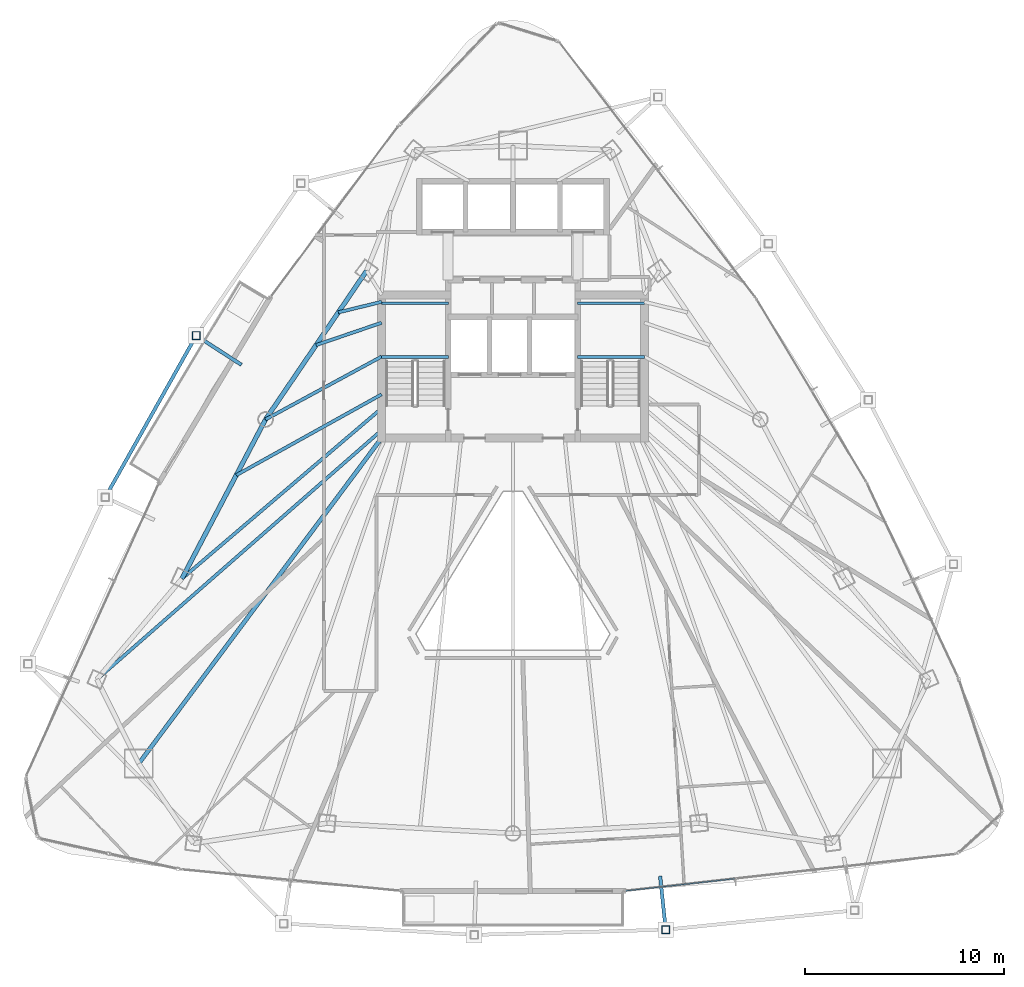
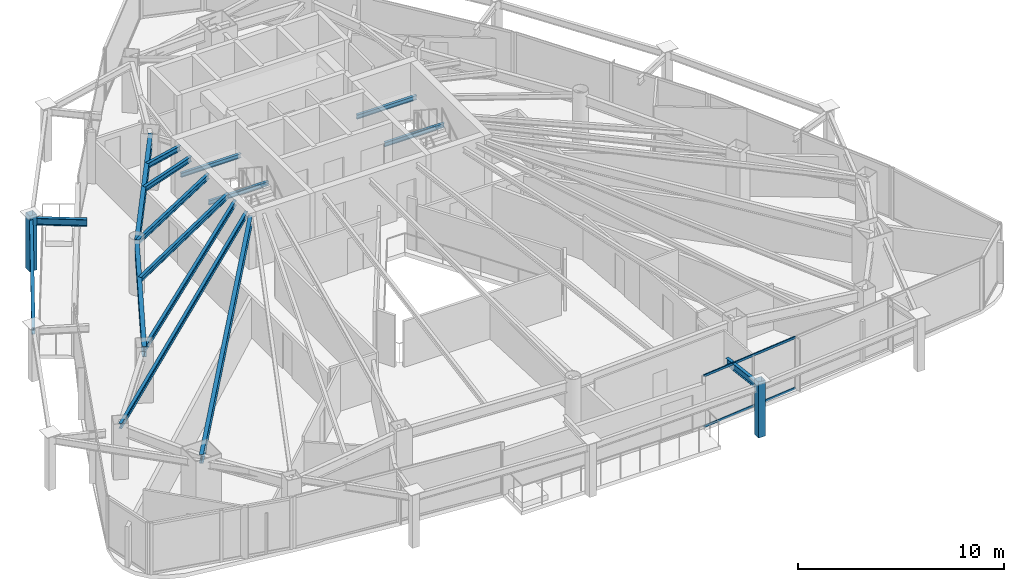
# One storey, part 11 of 29: 16 beams, 4 members, 1 element without a shape of its own.
"""IFC4 building model written with IfcOpenShell, lengths in metres."""

from ifc_helpers import new_model, si_unit, direction, frame, origin, origin_2d, place, context, subcontext, project, spatial, hollow_rectangle, i_section, extrude, material, layer, layer_set, material_profile, profile_set, type_object, element, aggregate, save


model = new_model("IFC4")

# Units and contexts
model_context = context("Model", 3, precision=1e-05, world=origin(), true_north=direction((0.0, 1.0)))
body_context = subcontext(model_context, "Body", "Model", "MODEL_VIEW")
ifc_project = project(units=[si_unit("LENGTHUNIT", "METRE"), si_unit("AREAUNIT", "SQUARE_METRE"), si_unit("VOLUMEUNIT", "CUBIC_METRE"), si_unit("PLANEANGLEUNIT", "RADIAN"), si_unit("MASSUNIT", "GRAM", prefix="KILO")], contexts=[model_context])

# Site, building, storey
site_placement = place(None, origin())
site = spatial("IfcSite", under=ifc_project, at=site_placement, CompositionType="ELEMENT")
building_placement = place(site_placement, origin())
building = spatial("IfcBuilding", under=site, at=building_placement, Name="Orvanel Arch Residences", CompositionType="ELEMENT")
storey_placement = place(building_placement, frame((0.0, 0.0, 177.050048828125)))
storey = spatial("IfcBuildingStorey", under=building, at=storey_placement, Name="L50", CompositionType="ELEMENT", Elevation=177.050048828125)

# Beams
ifc_material_1 = material(Name="Structural steel AS/NZS 3679.1 Grade 300 (300 MPa)", Category="steel")
ifc_material_profile_1 = material_profile(ifc_material_1, i_section(OverallWidth=0.208984375, OverallDepth=0.532958984375, WebThickness=0.01025390625, FlangeThickness=0.015625, at=origin_2d()), Name="530UB92.4")
ifc_profile_set_1 = profile_set([ifc_material_profile_1], Name="Structural steel AS/NZS 3679.1 Grade 300 (300 MPa)")
beam_type_1 = type_object("IfcBeamType", Name="BG-530UB", PredefinedType="BEAM", material=ifc_profile_set_1)
beam_1_placement = place(storey_placement, frame((26.375, 26.675048828125, 2.7939453125), z_axis=(-0.597893733742, -0.801575375839, 0.0), x_axis=(0.801575375839, -0.597893733742, 0.0)))
element("IfcBeam", 1, at=beam_1_placement, inside=storey, type_object=beam_type_1, Name="L50 South-West Radial Girder", PredefinedType="BEAM", context=body_context, shape_type="SweptSolid", body=[
    extrude(i_section(OverallWidth=0.208984375, OverallDepth=0.532958984375, WebThickness=0.01025390625, FlangeThickness=0.015625, at=origin_2d()), origin(), (0.0, 0.0, 1.0), 20.36474609375),
])
ifc_material_profile_2 = material_profile(ifc_material_1, i_section(OverallWidth=0.14599609375, OverallDepth=0.251953125, WebThickness=0.006103515625, FlangeThickness=0.008544921875, at=origin_2d()), Name="250UB31.4")
ifc_profile_set_2 = profile_set([ifc_material_profile_2], Name="Structural steel AS/NZS 3679.1 Grade 300 (300 MPa)")
beam_type_2 = type_object("IfcBeamType", Name="BJ-250UB", PredefinedType="JOIST", material=ifc_profile_set_2)
for number, where, z_axis, x_axis, name in (
    (2, (26.39990234375, 30.780029296875, 1.323974609375), (1.0, 0.0, 0.0), (0.0, 1.0, 0.0), "L50 ST-1 Half-Landing Support Beam 1.1"),
    (3, (26.39990234375, 33.47998046875, 1.323974609375), (1.0, 0.0, 0.0), (0.0, 1.0, 0.0), "L50 ST-1 Half-Landing Support Beam 1.2"),
    (4, (36.25, 30.780029296875, 1.323974609375), (1.0, 0.0, 0.0), (0.0, 1.0, 0.0), "L50 ST-2 Half-Landing Support Beam 1.1"),
    (5, (36.25, 33.47998046875, 1.323974609375), (1.0, 0.0, 0.0), (0.0, 1.0, 0.0), "L50 ST-2 Half-Landing Support Beam 1.2"),
):
    element("IfcBeam", number, at=place(storey_placement, frame(where, z_axis=z_axis, x_axis=x_axis)), inside=storey, type_object=beam_type_2, Name=name, PredefinedType="JOIST", context=body_context, shape_type="SweptSolid", body=[
        extrude(i_section(OverallWidth=0.14599609375, OverallDepth=0.251953125, WebThickness=0.006103515625, FlangeThickness=0.008544921875, at=origin_2d()), origin(), (0.0, 0.0, 1.0), 3.35009765625),
    ])
ifc_material_profile_3 = material_profile(ifc_material_1, i_section(OverallWidth=0.1650390625, OverallDepth=0.303955078125, WebThickness=0.006103515625, FlangeThickness=0.01025390625, at=origin_2d()), Name="310UB40.4")
ifc_profile_set_3 = profile_set([ifc_material_profile_3], Name="Structural steel AS/NZS 3679.1 Grade 300 (300 MPa)")
beam_type_3 = type_object("IfcBeamType", Name="BJ-310UB", PredefinedType="JOIST", material=ifc_profile_set_3)
beam_2_placement = place(storey_placement, frame((26.39990234375, 30.800048828125, 2.907958984375), z_axis=(-0.87925534649, -0.476350748576, 0.0), x_axis=(0.476350748576, -0.87925534649, 0.0)))
element("IfcBeam", 6, at=beam_2_placement, inside=storey, type_object=beam_type_3, Name="L50 NW Wing Floor Joist", PredefinedType="JOIST", context=body_context, shape_type="SweptSolid", body=[
    extrude(i_section(OverallWidth=0.1650390625, OverallDepth=0.303955078125, WebThickness=0.006103515625, FlangeThickness=0.01025390625, at=origin_2d()), origin(), (0.0, 0.0, 1.0), 6.631591796875),
])
beam_3_placement = place(storey_placement, frame((26.39990234375, 28.199951171875, 2.907958984375), z_axis=(-0.760821315761, -0.648961420644, 0.0), x_axis=(0.648961420644, -0.760821315761, 0.0)))
element("IfcBeam", 7, at=beam_3_placement, inside=storey, type_object=beam_type_3, Name="L50 W Wing Floor Joist", PredefinedType="JOIST", context=body_context, shape_type="SweptSolid", body=[
    extrude(i_section(OverallWidth=0.1650390625, OverallDepth=0.303955078125, WebThickness=0.006103515625, FlangeThickness=0.01025390625, at=origin_2d()), origin(), (0.0, 0.0, 1.0), 13.18701171875),
])
beam_4_placement = place(storey_placement, frame((26.39990234375, 32.5, 2.907958984375), z_axis=(-0.946441958332, -0.322873999431, 0.0), x_axis=(0.322873999431, -0.946441958332, 0.0)))
element("IfcBeam", 8, at=beam_4_placement, inside=storey, type_object=beam_type_3, Name="L50 WNW Wing Floor Joist", PredefinedType="JOIST", context=body_context, shape_type="SweptSolid", body=[
    extrude(i_section(OverallWidth=0.1650390625, OverallDepth=0.303955078125, WebThickness=0.006103515625, FlangeThickness=0.01025390625, at=origin_2d()), origin(), (0.0, 0.0, 1.0), 3.478271484375),
])
beam_5_placement = place(storey_placement, frame((26.39990234375, 27.10009765625, 2.907958984375), z_axis=(-0.752493154183, -0.658600070534, 0.0), x_axis=(0.658600070534, -0.752493154183, 0.0)))
element("IfcBeam", 9, at=beam_5_placement, inside=storey, type_object=beam_type_3, Name="L50 MW Wing Floor Joist", PredefinedType="JOIST", context=body_context, shape_type="SweptSolid", body=[
    extrude(i_section(OverallWidth=0.1650390625, OverallDepth=0.303955078125, WebThickness=0.006103515625, FlangeThickness=0.01025390625, at=origin_2d()), origin(), (0.0, 0.0, 1.0), 19.010009765625),
])
beam_6_placement = place(storey_placement, frame((26.39990234375, 28.89990234375, 2.907958984375), z_axis=(-0.87404697606, -0.485841418202, 0.0), x_axis=(0.485841418202, -0.87404697606, 0.0)))
element("IfcBeam", 10, at=beam_6_placement, inside=storey, type_object=beam_type_3, Name="L50 CTW Wing Floor Joist", PredefinedType="JOIST", context=body_context, shape_type="SweptSolid", body=[
    extrude(i_section(OverallWidth=0.1650390625, OverallDepth=0.303955078125, WebThickness=0.006103515625, FlangeThickness=0.01025390625, at=origin_2d()), origin(), (0.0, 0.0, 1.0), 8.354248046875),
])
beam_7_placement = place(storey_placement, frame((26.39990234375, 33.550048828125, 2.907958984375), z_axis=(-0.971638471014, -0.236471312521, 0.0), x_axis=(0.236471312521, -0.971638471014, 0.0)))
element("IfcBeam", 11, at=beam_7_placement, inside=storey, type_object=beam_type_3, Name="L50 JADD3 Wing Floor Joist", PredefinedType="JOIST", context=body_context, shape_type="SweptSolid", body=[
    extrude(i_section(OverallWidth=0.1650390625, OverallDepth=0.303955078125, WebThickness=0.006103515625, FlangeThickness=0.01025390625, at=origin_2d()), origin(), (0.0, 0.0, 1.0), 2.2373046875),
])
ifc_material_profile_4 = material_profile(ifc_material_1, i_section(OverallWidth=0.177978515625, OverallDepth=0.406005859375, WebThickness=0.0078125, FlangeThickness=0.0126953125, at=origin_2d()), Name="410UB59.7")
ifc_profile_set_4 = profile_set([ifc_material_profile_4], Name="Structural steel AS/NZS 3679.1 Grade 300 (300 MPa)")
beam_type_4 = type_object("IfcBeamType", Name="OB-410UB-EXT", PredefinedType="SPANDREL", material=ifc_profile_set_4)
beam_8_placement = place(storey_placement, frame((19.360107421875, 30.385009765625, 2.85693359375), z_axis=(-0.840160104093, 0.542338454741, 0.0), x_axis=(-0.542338454741, -0.840160104093, 0.0)))
element("IfcBeam", 12, at=beam_8_placement, inside=storey, type_object=beam_type_4, Name="L50 Outer Frame Radial Tie Beam 02", PredefinedType="SPANDREL", context=body_context, shape_type="SweptSolid", body=[
    extrude(i_section(OverallWidth=0.177978515625, OverallDepth=0.406005859375, WebThickness=0.0078125, FlangeThickness=0.0126953125, at=origin_2d()), origin(), (0.0, 0.0, 1.0), 2.706787109375),
])
beam_9_placement = place(storey_placement, frame((17.0859375, 31.85302734375, 2.85693359375), z_axis=(-0.490320919512, -0.871541964502, 0.0), x_axis=(0.871541964502, -0.490320919512, 0.0)))
element("IfcBeam", 13, at=beam_9_placement, inside=storey, type_object=beam_type_4, Name="L50 Outer Perimeter Floor Ring Beam 02", PredefinedType="SPANDREL", context=body_context, shape_type="SweptSolid", body=[
    extrude(i_section(OverallWidth=0.177978515625, OverallDepth=0.406005859375, WebThickness=0.0078125, FlangeThickness=0.0126953125, at=origin_2d()), origin(), (0.0, 0.0, 1.0), 9.322509765625),
])
beam_10_placement = place(storey_placement, frame((40.39404296875, 4.696044921875, 2.85693359375), z_axis=(0.104849036165, -0.99448814956, 0.0), x_axis=(0.99448814956, 0.104849036165, 0.0)))
element("IfcBeam", 14, at=beam_10_placement, inside=storey, type_object=beam_type_4, Name="L50 Outer Frame Radial Tie Beam 07", PredefinedType="SPANDREL", context=body_context, shape_type="SweptSolid", body=[
    extrude(i_section(OverallWidth=0.177978515625, OverallDepth=0.406005859375, WebThickness=0.0078125, FlangeThickness=0.0126953125, at=origin_2d()), origin(), (0.0, 0.0, 1.0), 2.7080078125),
])
ifc_material_profile_5 = material_profile(ifc_material_1, i_section(OverallWidth=0.22900390625, OverallDepth=0.612060546875, WebThickness=0.011962890625, FlangeThickness=0.01953125, at=origin_2d()), Name="610UB125")
ifc_profile_set_5 = profile_set([ifc_material_profile_5], Name="Structural steel AS/NZS 3679.1 Grade 300 (300 MPa)")
beam_type_5 = type_object("IfcBeamType", Name="SP-610UB", PredefinedType="SPANDREL", material=ifc_profile_set_5)
beam_11_placement = place(storey_placement, frame((25.64794921875, 35.113037109375, 2.75390625), z_axis=(-0.562154793153, -0.827032035978, 0.0), x_axis=(0.827032035978, -0.562154793153, 0.0)))
element("IfcBeam", 15, at=beam_11_placement, inside=storey, type_object=beam_type_5, Name="L50 Perimeter Spandrel Beam 17", PredefinedType="SPANDREL", context=body_context, shape_type="SweptSolid", body=[
    extrude(i_section(OverallWidth=0.22900390625, OverallDepth=0.612060546875, WebThickness=0.011962890625, FlangeThickness=0.01953125, at=origin_2d()), origin(), (0.0, 0.0, 1.0), 9.03466796875),
])
beam_12_placement = place(storey_placement, frame((20.569091796875, 27.64111328125, 2.75390625), z_axis=(-0.465064762793, -0.885276660942, 0.0), x_axis=(0.885276660942, -0.465064762793, 0.0)))
element("IfcBeam", 16, at=beam_12_placement, inside=storey, type_object=beam_type_5, Name="L50 Perimeter Spandrel Beam 18", PredefinedType="SPANDREL", context=body_context, shape_type="SweptSolid", body=[
    extrude(i_section(OverallWidth=0.22900390625, OverallDepth=0.612060546875, WebThickness=0.011962890625, FlangeThickness=0.01953125, at=origin_2d()), origin(), (0.0, 0.0, 1.0), 9.03564453125),
])

# Members
ifc_material_2 = material(Name="Structural steel AS/NZS 1163 C450L0 (Grade 450)", Category="steel")
ifc_material_profile_6 = material_profile(ifc_material_2, hollow_rectangle(XDim=0.39990234375, YDim=0.39990234375, WallThickness=0.01611328125, at=origin_2d()), Name="SHS400x400x16")
ifc_profile_set_6 = profile_set([ifc_material_profile_6], Name="Structural steel AS/NZS 1163 C450L0 (Grade 450)")
member_type_1 = type_object("IfcMemberType", Name="ST-400SHS-EXT", PredefinedType="STRUT", material=ifc_profile_set_6)
for number, where, z_axis, x_axis, name in (
    (17, (17.0859375, 31.85302734375, 0.0), (0.0, 0.0, 1.0), (1.0, 0.0, 0.0), "L50 Outer Perimeter Frame Post 02"),
    (18, (40.677978515625, 2.0029296875, 0.0), (0.0, 0.0, 1.0), (1.0, 0.0, 0.0), "L50 Outer Perimeter Frame Post 07"),
):
    element("IfcMember", number, at=place(storey_placement, frame(where, z_axis=z_axis, x_axis=x_axis)), inside=storey, type_object=member_type_1, Name=name, PredefinedType="STRUT", context=body_context, shape_type="SweptSolid", body=[
        extrude(hollow_rectangle(XDim=0.39990234375, YDim=0.39990234375, WallThickness=0.01611328125, at=origin_2d()), origin(), (0.0, 0.0, 1.0), 3.300048828125),
    ])

# Curtain wall, members
ifc_material_3 = material(Name="Bronze-anodised aluminium AA6063-T6", Category="aluminium")
ifc_layer = layer(ifc_material_3, 0.179931640625)
ifc_layer_set = layer_set([ifc_layer], Name="Bronze-anodised aluminium AA6063-T6")
curtain_wall_type = type_object("IfcCurtainWallType", Name="CW3-MID-SYS", PredefinedType="NOTDEFINED", material=ifc_layer_set)
curtain_wall_placement = place(storey_placement, origin())
curtain_wall = element("IfcCurtainWall", 19, at=curtain_wall_placement, inside=storey, type_object=curtain_wall_type, Name="L50 CW3-MID-SYS Unitised Curtain Wall", PredefinedType="NOTDEFINED")
ifc_material_profile_7 = material_profile(ifc_material_3, hollow_rectangle(XDim=0.06005859375, YDim=0.135009765625, WallThickness=0.00390625, at=origin_2d()), Name="ALU135x60x4")
ifc_profile_set_7 = profile_set([ifc_material_profile_7], Name="Bronze-anodised aluminium AA6063-T6")
member_type_2 = type_object("IfcMemberType", Name="TRN-135x60", PredefinedType="USERDEFINED", material=ifc_profile_set_7)
member_1_placement = place(storey_placement, frame((38.66748046875, 3.954833984375, 0.030029296875), z_axis=(0.993841943427, 0.110807001069, 0.0), x_axis=(-0.110807001069, 0.993841943427, 0.0)))
member_1 = element("IfcMember", 20, at=member_1_placement, type_object=member_type_2, Name="CW-S3 transom 1.1", ObjectType="TRANSOM", PredefinedType="USERDEFINED", context=body_context, shape_type="SweptSolid", body=[
    extrude(hollow_rectangle(XDim=0.06005859375, YDim=0.135009765625, WallThickness=0.00390625, at=origin_2d()), origin(), (0.0, 0.0, 1.0), 5.4951171875),
])
member_2_placement = place(storey_placement, frame((38.66748046875, 3.954833984375, 3.030029296875), z_axis=(0.993841943427, 0.110807001069, 0.0), x_axis=(-0.110807001069, 0.993841943427, 0.0)))
member_2 = element("IfcMember", 21, at=member_2_placement, type_object=member_type_2, Name="CW-S3 transom 1.2", ObjectType="TRANSOM", PredefinedType="USERDEFINED", context=body_context, shape_type="SweptSolid", body=[
    extrude(hollow_rectangle(XDim=0.06005859375, YDim=0.135009765625, WallThickness=0.00390625, at=origin_2d()), origin(), (0.0, 0.0, 1.0), 5.4951171875),
])
aggregate(curtain_wall, [member_1, member_2])

save(model, "model.ifc")
